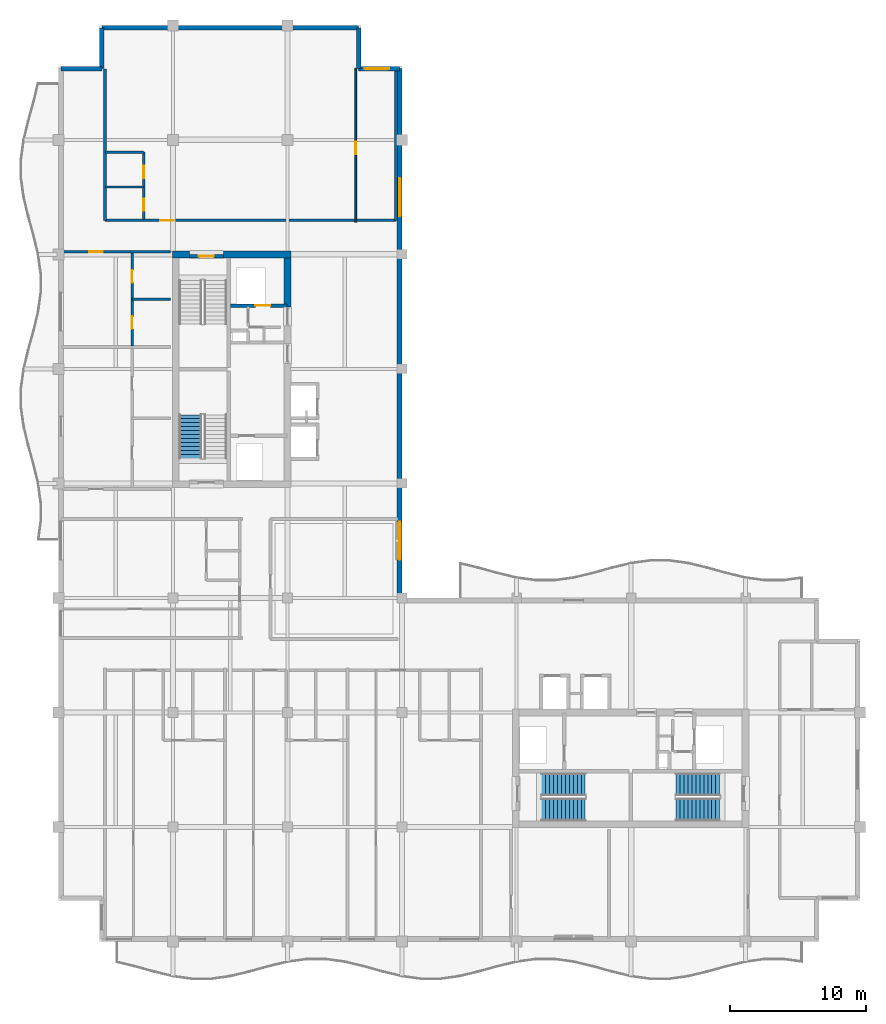
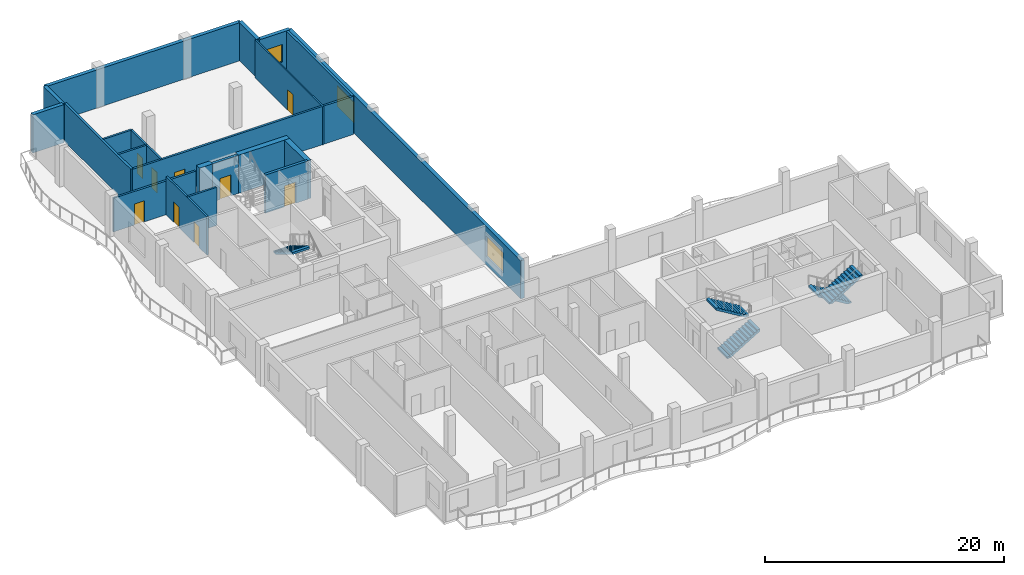
# One storey, part 7 of 11: 21 walls, 9 doors, 5 stair flights, 3 windows, 12 openings, 3 elements without a shape of their own.
"""IFC4 building model written with IfcOpenShell, lengths in metres."""

from ifc_helpers import new_model, si_unit, direction, frame, frame_2d, origin, place, context, subcontext, project, spatial, polyline, rectangle, outline, extrude, material, layer, layer_set, type_object, element, fill, aggregate, save


model = new_model("IFC4")

# Units and contexts
model_context = context("Model", 3, precision=1e-05, world=origin(), true_north=direction((0.0, 1.0)))
body_context = subcontext(model_context, "Body", "Model", "MODEL_VIEW")
ifc_project = project(units=[si_unit("LENGTHUNIT", "METRE"), si_unit("AREAUNIT", "SQUARE_METRE"), si_unit("VOLUMEUNIT", "CUBIC_METRE"), si_unit("PLANEANGLEUNIT", "RADIAN"), si_unit("MASSUNIT", "GRAM", prefix="KILO")], contexts=[model_context])

# Site, building, storey
site_placement = place(None, origin())
site = spatial("IfcSite", under=ifc_project, at=site_placement, CompositionType="ELEMENT")
building_placement = place(site_placement, origin())
building = spatial("IfcBuilding", under=site, at=building_placement, Name="Koriwani Terraces Tower", CompositionType="ELEMENT")
storey_placement = place(building_placement, frame((0.0, 0.0, 359.60009765625)))
storey = spatial("IfcBuildingStorey", under=building, at=storey_placement, Name="L89", CompositionType="ELEMENT", Elevation=359.60009765625)

# Walls
ifc_material_1 = material(Name="Concrete C50/60", Category="concrete")
ifc_layer_1 = layer(ifc_material_1, 0.5, Name="Concrete C50/60")
ifc_layer_set_1 = layer_set([ifc_layer_1], Name="Concrete C50/60")
wall_type_1 = type_object("IfcWallType", Name="WALL_CORE_RC_500", PredefinedType="SHEAR", material=ifc_layer_set_1)
wall_1_placement = place(storey_placement, frame((16.75, 58.800048828125, 0.0), z_axis=(0.0, 0.0, 1.0), x_axis=(1.0, 0.0, 0.0)))
element("IfcWall", 1, at=wall_1_placement, inside=storey, type_object=wall_type_1, Name="L89 West Split Core Shear Wall N1", PredefinedType="SHEAR", context=body_context, shape_type="SweptSolid", body=[
    extrude(rectangle(XDim=1.25, YDim=0.5, at=frame_2d((0.625, 0.0))), origin(), (0.0, 0.0, 1.0), 3.89990234375),
])
wall_2_placement = place(storey_placement, frame((20.5, 58.800048828125, 0.0), z_axis=(0.0, 0.0, 1.0), x_axis=(1.0, 0.0, 0.0)))
element("IfcWall", 2, at=wall_2_placement, inside=storey, type_object=wall_type_1, Name="L89 West Split Core Shear Wall N2", PredefinedType="SHEAR", context=body_context, shape_type="SweptSolid", body=[
    extrude(rectangle(XDim=4.949951171875, YDim=0.5, at=frame_2d((2.47509765625, 0.0))), origin(), (0.0, 0.0, 1.0), 3.89990234375),
])
wall_3_placement = place(storey_placement, frame((25.199951171875, 54.949951171875, 0.0), z_axis=(0.0, 0.0, 1.0), x_axis=(0.0, 1.0, 0.0)))
element("IfcWall", 3, at=wall_3_placement, inside=storey, type_object=wall_type_1, Name="L89 West Split Core Shear Wall E3", PredefinedType="SHEAR", context=body_context, shape_type="SweptSolid", body=[
    extrude(rectangle(XDim=3.60009765625, YDim=0.5, at=frame_2d((1.800048828125, 0.0))), origin(), (0.0, 0.0, 1.0), 3.89990234375),
])

# Wall, opening, door
ifc_material_2 = material(Name="Autoclaved Cellular Concrete Blockwork", Category="masonry")
ifc_layer_2 = layer(ifc_material_2, 0.199951171875, Name="Autoclaved Cellular Concrete Blockwork")
ifc_layer_set_2 = layer_set([ifc_layer_2], Name="Autoclaved Cellular Concrete Blockwork")
wall_type_2 = type_object("IfcWallType", Name="WALL_CORRIDOR_200", PredefinedType="PARTITIONING", material=ifc_layer_set_2)
wall_4_placement = place(storey_placement, frame((8.64990234375, 59.0, 0.0), z_axis=(0.0, 0.0, 1.0), x_axis=(1.0, 0.0, 0.0)))
wall_4 = element("IfcWall", 4, at=wall_4_placement, inside=storey, type_object=wall_type_2, Name="L89 Interior Wall WRZ4-WN-L89", PredefinedType="PARTITIONING", context=body_context, shape_type="SweptSolid", body=[
    extrude(rectangle(XDim=7.9501953125, YDim=0.199951171875, at=frame_2d((3.97509765625, 0.0))), origin(), (0.0, 0.0, 1.0), 3.43701171875),
])
opening_1_placement = place(wall_4_placement, frame((2.0, 0.0, 0.0)))
opening_1 = element("IfcOpeningElement", 5, at=opening_1_placement, cuts=wall_4, Name="Opening D-05", PredefinedType="OPENING", context=body_context, shape_type="SweptSolid", body=[
    extrude(rectangle(XDim=1.0, YDim=2.14990234375, at=frame_2d((0.5, 1.074951171875))), frame((0.0, 0.10986328125, 0.0), z_axis=(0.0, -1.0, 0.0), x_axis=(1.0, 0.0, 0.0)), (0.0, 0.0, 1.0), 0.219970703125),
])
ifc_material_3 = material(Name="Architectural Oak Fire Door", Category="wood")
door_type_1 = type_object("IfcDoorType", Name="DOOR_SUITE_ENTRY_1000X2150", OperationType="NOTDEFINED", PredefinedType="DOOR", material=ifc_material_3)
door_1_placement = place(opening_1_placement, origin())
door_1 = element("IfcDoor", 6, at=door_1_placement, inside=storey, type_object=door_type_1, Name="Apartment 89RW2 Entrance Door", OperationType="SINGLE_SWING_LEFT", OverallHeight=2.14990234375, OverallWidth=1.0, PredefinedType="DOOR", context=body_context, shape_type="SweptSolid", body=[
    extrude(rectangle(XDim=1.0, YDim=2.14990234375, at=frame_2d((0.5, 1.074951171875))), frame((0.0, 0.02490234375, 0.0), z_axis=(0.0, -1.0, 0.0), x_axis=(1.0, 0.0, 0.0)), (0.0, 0.0, 1.0), 0.050048828125),
])
fill(opening_1, door_1)

wall_5_placement = place(storey_placement, frame((11.800048828125, 61.300048828125, 0.0), z_axis=(0.0, 0.0, 1.0), x_axis=(1.0, 0.0, 0.0)))
wall_5 = element("IfcWall", 7, at=wall_5_placement, inside=storey, type_object=wall_type_2, Name="L89 Interior Wall WGB-L89-NT-S", PredefinedType="PARTITIONING", context=body_context, shape_type="SweptSolid", body=[
    extrude(rectangle(XDim=21.349853515625, YDim=0.199951171875, at=frame_2d((10.6748046875, 0.0))), origin(), (0.0, 0.0, 1.0), 3.89990234375),
])
opening_2_placement = place(wall_5_placement, frame((4.050048828125, 0.0, 0.0)))
opening_2 = element("IfcOpeningElement", 8, at=opening_2_placement, cuts=wall_5, Name="Opening D-05", PredefinedType="OPENING", context=body_context, shape_type="SweptSolid", body=[
    extrude(rectangle(XDim=1.0, YDim=2.14990234375, at=frame_2d((0.5, 1.074951171875))), frame((0.0, 0.10986328125, 0.0), z_axis=(0.0, -1.0, 0.0), x_axis=(1.0, 0.0, 0.0)), (0.0, 0.0, 1.0), 0.219970703125),
])
door_2_placement = place(opening_2_placement, origin())
door_2 = element("IfcDoor", 9, at=door_2_placement, inside=storey, type_object=door_type_1, Name="Penthouse 89NT Entrance Door", OperationType="SINGLE_SWING_RIGHT", OverallHeight=2.14990234375, OverallWidth=1.0, PredefinedType="DOOR", context=body_context, shape_type="SweptSolid", body=[
    extrude(rectangle(XDim=1.0, YDim=2.14990234375, at=frame_2d((0.5, 1.074951171875))), frame((0.0, 0.02490234375, 0.0), z_axis=(0.0, -1.0, 0.0), x_axis=(1.0, 0.0, 0.0)), (0.0, 0.0, 1.0), 0.050048828125),
])
fill(opening_2, door_2)

# Walls
ifc_layer_3 = layer(ifc_material_2, 0.219970703125, Name="Autoclaved Cellular Concrete Blockwork")
ifc_layer_set_3 = layer_set([ifc_layer_3], Name="Autoclaved Cellular Concrete Blockwork")
wall_type_3 = type_object("IfcWallType", Name="WALL_DEMISING_220", PredefinedType="PARTITIONING", material=ifc_layer_set_3)
for number, where, z_axis, x_axis, name in (
    (10, (33.14990234375, 61.300048828125, 0.0), (0.0, 0.0, 1.0), (0.0, 1.0, 0.0), "L89 Interior Wall WGB-L89-NT-E"),
    (11, (11.800048828125, 61.300048828125, 0.0), (0.0, 0.0, 1.0), (0.0, 1.0, 0.0), "L89 Interior Wall WGB-L89-NT-W"),
):
    element("IfcWall", number, at=place(storey_placement, frame(where, z_axis=z_axis, x_axis=x_axis)), inside=storey, type_object=wall_type_3, Name=name, PredefinedType="PARTITIONING", context=body_context, shape_type="SweptSolid", body=[
        extrude(rectangle(XDim=11.099853515625, YDim=0.219970703125, at=frame_2d((5.5498046875, 0.0))), origin(), (0.0, 0.0, 1.0), 3.89990234375),
    ])
ifc_layer_4 = layer(ifc_material_1, 0.35009765625, Name="Concrete C50/60")
ifc_layer_set_4 = layer_set([ifc_layer_4], Name="Concrete C50/60")
wall_type_4 = type_object("IfcWallType", Name="WALL_EXT_BRUTALIST_350", PredefinedType="STANDARD", material=ifc_layer_set_4)
for number, where, z_axis, x_axis, name in (
    (12, (8.574951171875, 72.425048828125, 0.0), (0.0, 0.0, 1.0), (1.0, 0.0, 0.0), "L89 Fair-Faced Brutalist Exterior Wall (N3)"),
    (13, (11.574951171875, 72.425048828125, 0.0), (0.0, 0.0, 1.0), (0.0, 1.0, 0.0), "L89 Fair-Faced Brutalist Exterior Wall (N4)"),
):
    element("IfcWall", number, at=place(storey_placement, frame(where, z_axis=z_axis, x_axis=x_axis)), inside=storey, type_object=wall_type_4, Name=name, PredefinedType="STANDARD", context=body_context, shape_type="SweptSolid", body=[
        extrude(rectangle(XDim=3.0, YDim=0.35009765625, at=frame_2d((1.5, 0.0))), origin(), (0.0, 0.0, 1.0), 3.89990234375),
    ])
wall_6_placement = place(storey_placement, frame((11.574951171875, 75.425048828125, 0.0), z_axis=(0.0, 0.0, 1.0), x_axis=(1.0, 0.0, 0.0)))
element("IfcWall", 14, at=wall_6_placement, inside=storey, type_object=wall_type_4, Name="L89 Fair-Faced Brutalist Exterior Wall (N_TIP)", PredefinedType="STANDARD", context=body_context, shape_type="SweptSolid", body=[
    extrude(rectangle(XDim=18.85009765625, YDim=0.35009765625, at=frame_2d((9.425048828125, 0.0))), origin(), (0.0, 0.0, 1.0), 3.89990234375),
])
wall_7_placement = place(storey_placement, frame((30.425048828125, 75.425048828125, 0.0), z_axis=(0.0, 0.0, 1.0), x_axis=(0.0, -1.0, 0.0)))
element("IfcWall", 15, at=wall_7_placement, inside=storey, type_object=wall_type_4, Name="L89 Fair-Faced Brutalist Exterior Wall (N6)", PredefinedType="STANDARD", context=body_context, shape_type="SweptSolid", body=[
    extrude(rectangle(XDim=3.0, YDim=0.35009765625, at=frame_2d((1.5, 0.0))), origin(), (0.0, 0.0, 1.0), 3.89990234375),
])

# Wall, opening, window
wall_8_placement = place(storey_placement, frame((30.425048828125, 72.425048828125, 0.0), z_axis=(0.0, 0.0, 1.0), x_axis=(1.0, 0.0, 0.0)))
wall_8 = element("IfcWall", 16, at=wall_8_placement, inside=storey, type_object=wall_type_4, Name="L89 Fair-Faced Brutalist Exterior Wall (N7)", PredefinedType="STANDARD", context=body_context, shape_type="SweptSolid", body=[
    extrude(rectangle(XDim=3.0, YDim=0.35009765625, at=frame_2d((1.5, 0.0))), origin(), (0.0, 0.0, 1.0), 3.89990234375),
])
opening_3_placement = place(wall_8_placement, frame((0.4375, 0.0, 0.85009765625)))
opening_3 = element("IfcOpeningElement", 17, at=opening_3_placement, cuts=wall_8, Name="Opening W-04", PredefinedType="OPENING", context=body_context, shape_type="SweptSolid", body=[
    extrude(rectangle(XDim=1.800048828125, YDim=1.800048828125, at=frame_2d((0.89990234375, 0.89990234375))), frame((0.0, 0.18505859375, 0.0), z_axis=(0.0, -1.0, 0.0), x_axis=(1.0, 0.0, 0.0)), (0.0, 0.0, 1.0), 0.3701171875),
])
ifc_material_4 = material(Name="Tempered Laminated Low-E Glass", Category="glass")
window_type_1 = type_object("IfcWindowType", Name="WIN_RES_BED_1800X1800", PartitioningType="DOUBLE_PANEL_VERTICAL", PredefinedType="WINDOW", material=ifc_material_4)
window_1_placement = place(opening_3_placement, origin())
window_1 = element("IfcWindow", 18, at=window_1_placement, inside=storey, type_object=window_type_1, Name="L89 Exterior Window (N7-R49)", OverallHeight=1.800048828125, OverallWidth=1.800048828125, PartitioningType="SINGLE_PANEL", PredefinedType="WINDOW", context=body_context, shape_type="SweptSolid", body=[
    extrude(rectangle(XDim=1.800048828125, YDim=1.800048828125, at=frame_2d((0.89990234375, 0.89990234375))), frame((0.0, 0.030029296875, 0.0), z_axis=(0.0, -1.0, 0.0), x_axis=(1.0, 0.0, 0.0)), (0.0, 0.0, 1.0), 0.06005859375),
])
fill(opening_3, window_1)

# Wall, openings, windows
wall_9_placement = place(storey_placement, frame((33.425048828125, 72.425048828125, 0.0), z_axis=(0.0, 0.0, 1.0), x_axis=(0.0, -1.0, 0.0)))
wall_9 = element("IfcWall", 19, at=wall_9_placement, inside=storey, type_object=wall_type_4, Name="L89 Fair-Faced Brutalist Exterior Wall (NW_IN)", PredefinedType="STANDARD", context=body_context, shape_type="SweptSolid", body=[
    extrude(rectangle(XDim=39.0, YDim=0.35009765625, at=frame_2d((19.5, 0.0))), origin(), (0.0, 0.0, 1.0), 3.89990234375),
])
opening_4_placement = place(wall_9_placement, frame((33.22509765625, 0.0, 0.85009765625)))
opening_4 = element("IfcOpeningElement", 20, at=opening_4_placement, cuts=wall_9, Name="Opening W-05", PredefinedType="OPENING", context=body_context, shape_type="SweptSolid", body=[
    extrude(rectangle(XDim=2.800048828125, YDim=2.10009765625, at=frame_2d((1.39990234375, 1.050048828125))), frame((0.0, 0.18505859375, 0.0), z_axis=(0.0, -1.0, 0.0), x_axis=(1.0, 0.0, 0.0)), (0.0, 0.0, 1.0), 0.3701171875),
])
opening_5_placement = place(wall_9_placement, frame((8.02490234375, 0.0, 0.85009765625)))
opening_5 = element("IfcOpeningElement", 21, at=opening_5_placement, cuts=wall_9, Name="Opening W-05", PredefinedType="OPENING", context=body_context, shape_type="SweptSolid", body=[
    extrude(rectangle(XDim=2.800048828125, YDim=2.10009765625, at=frame_2d((1.39990234375, 1.050048828125))), frame((0.0, 0.18505859375, 0.0), z_axis=(0.0, -1.0, 0.0), x_axis=(1.0, 0.0, 0.0)), (0.0, 0.0, 1.0), 0.3701171875),
])
window_type_2 = type_object("IfcWindowType", Name="WIN_PENTHOUSE_2800X2100", PartitioningType="TRIPLE_PANEL_VERTICAL", PredefinedType="WINDOW", material=ifc_material_4)
window_2_placement = place(opening_4_placement, origin())
window_2 = element("IfcWindow", 22, at=window_2_placement, inside=storey, type_object=window_type_2, Name="L89 Exterior Window (NW_IN-2)", OverallHeight=2.10009765625, OverallWidth=2.800048828125, PartitioningType="SINGLE_PANEL", PredefinedType="WINDOW", context=body_context, shape_type="SweptSolid", body=[
    extrude(rectangle(XDim=2.800048828125, YDim=2.10009765625, at=frame_2d((1.39990234375, 1.050048828125))), frame((0.0, 0.030029296875, 0.0), z_axis=(0.0, -1.0, 0.0), x_axis=(1.0, 0.0, 0.0)), (0.0, 0.0, 1.0), 0.06005859375),
])
fill(opening_4, window_2)
window_3_placement = place(opening_5_placement, origin())
window_3 = element("IfcWindow", 23, at=window_3_placement, inside=storey, type_object=window_type_2, Name="L89 Exterior Window (NW_IN-11)", OverallHeight=2.10009765625, OverallWidth=2.800048828125, PartitioningType="SINGLE_PANEL", PredefinedType="WINDOW", context=body_context, shape_type="SweptSolid", body=[
    extrude(rectangle(XDim=2.800048828125, YDim=2.10009765625, at=frame_2d((1.39990234375, 1.050048828125))), frame((0.0, 0.030029296875, 0.0), z_axis=(0.0, -1.0, 0.0), x_axis=(1.0, 0.0, 0.0)), (0.0, 0.0, 1.0), 0.06005859375),
])
fill(opening_5, window_3)

# Wall, opening, door
ifc_material_5 = material(Name="Fire-Rated Acoustic Gypsum Partition", Category="masonry")
ifc_layer_5 = layer(ifc_material_5, 0.125, Name="Fire-Rated Acoustic Gypsum Partition")
ifc_layer_set_5 = layer_set([ifc_layer_5], Name="Fire-Rated Acoustic Gypsum Partition")
wall_type_5 = type_object("IfcWallType", Name="WALL_INT_125", PredefinedType="PARTITIONING", material=ifc_layer_set_5)
wall_10_placement = place(storey_placement, frame((30.199951171875, 61.14990234375, 0.0), z_axis=(0.0, 0.0, 1.0), x_axis=(0.0, 1.0, 0.0)))
wall_10 = element("IfcWall", 24, at=wall_10_placement, inside=storey, type_object=wall_type_5, Name="L89 Interior Wall WGB-L89-NT-BD", PredefinedType="PARTITIONING", context=body_context, shape_type="SweptSolid", body=[
    extrude(rectangle(XDim=11.300048828125, YDim=0.125, at=frame_2d((5.64990234375, 0.0))), origin(), (0.0, 0.0, 1.0), 3.89990234375),
])
opening_6_placement = place(wall_10_placement, frame((4.9951171875, 0.0, 0.0)))
opening_6 = element("IfcOpeningElement", 25, at=opening_6_placement, cuts=wall_10, Name="Opening D-06", PredefinedType="OPENING", context=body_context, shape_type="SweptSolid", body=[
    extrude(rectangle(XDim=0.919921875, YDim=2.10009765625, at=frame_2d((0.4599609375, 1.050048828125))), frame((0.0, 0.072509765625, 0.0), z_axis=(0.0, -1.0, 0.0), x_axis=(1.0, 0.0, 0.0)), (0.0, 0.0, 1.0), 0.14501953125),
])
door_type_2 = type_object("IfcDoorType", Name="DOOR_ROOM_INT_920X2100", OperationType="NOTDEFINED", PredefinedType="DOOR", material=ifc_material_3)
door_3_placement = place(opening_6_placement, origin())
door_3 = element("IfcDoor", 26, at=door_3_placement, inside=storey, type_object=door_type_2, Name="Penthouse 89NT Master Suite Door", OperationType="SINGLE_SWING_LEFT", OverallHeight=2.10009765625, OverallWidth=0.919921875, PredefinedType="DOOR", context=body_context, shape_type="SweptSolid", body=[
    extrude(rectangle(XDim=0.919921875, YDim=2.10009765625, at=frame_2d((0.4599609375, 1.050048828125))), frame((0.0, 0.02490234375, 0.0), z_axis=(0.0, -1.0, 0.0), x_axis=(1.0, 0.0, 0.0)), (0.0, 0.0, 1.0), 0.050048828125),
])
fill(opening_6, door_3)

# Wall, openings, doors
ifc_layer_6 = layer(ifc_material_5, 0.179931640625, Name="Fire-Rated Acoustic Gypsum Partition")
ifc_layer_set_6 = layer_set([ifc_layer_6], Name="Fire-Rated Acoustic Gypsum Partition")
wall_type_6 = type_object("IfcWallType", Name="WALL_PLUMBING_180", PredefinedType="PLUMBINGWALL", material=ifc_layer_set_6)
wall_11_placement = place(storey_placement, frame((13.800048828125, 52.10009765625, 0.0), z_axis=(0.0, 0.0, 1.0), x_axis=(0.0, 1.0, 0.0)))
wall_11 = element("IfcWall", 27, at=wall_11_placement, inside=storey, type_object=wall_type_6, Name="L89 Interior Wall WRZ4-RW2-PB-L89", PredefinedType="PLUMBINGWALL", context=body_context, shape_type="SweptSolid", body=[
    extrude(rectangle(XDim=6.7998046875, YDim=0.179931640625, at=frame_2d((3.39990234375, 0.0))), origin(), (0.0, 0.0, 1.0), 3.89990234375),
])
opening_7_placement = place(wall_11_placement, frame((1.25, 0.0, 0.0)))
opening_7 = element("IfcOpeningElement", 28, at=opening_7_placement, cuts=wall_11, Name="Opening D-07", PredefinedType="OPENING", context=body_context, shape_type="SweptSolid", body=[
    extrude(rectangle(XDim=0.89990234375, YDim=2.10009765625, at=frame_2d((0.449951171875, 1.050048828125))), frame((0.0, 0.10009765625, 0.0), z_axis=(0.0, -1.0, 0.0), x_axis=(1.0, 0.0, 0.0)), (0.0, 0.0, 1.0), 0.199951171875),
])
opening_8_placement = place(wall_11_placement, frame((4.639892578125, 0.0, 0.0)))
opening_8 = element("IfcOpeningElement", 29, at=opening_8_placement, cuts=wall_11, Name="Opening D-06", PredefinedType="OPENING", context=body_context, shape_type="SweptSolid", body=[
    extrude(rectangle(XDim=0.919921875, YDim=2.10009765625, at=frame_2d((0.4599609375, 1.050048828125))), frame((0.0, 0.10009765625, 0.0), z_axis=(0.0, -1.0, 0.0), x_axis=(1.0, 0.0, 0.0)), (0.0, 0.0, 1.0), 0.199951171875),
])
door_type_3 = type_object("IfcDoorType", Name="DOOR_BATH_INT_900X2100", OperationType="NOTDEFINED", PredefinedType="DOOR", material=ifc_material_3)
door_4_placement = place(opening_7_placement, origin())
door_4 = element("IfcDoor", 30, at=door_4_placement, inside=storey, type_object=door_type_3, Name="Apartment 89RW2 Bathroom Door", OperationType="SINGLE_SWING_RIGHT", OverallHeight=2.10009765625, OverallWidth=0.89990234375, PredefinedType="DOOR", context=body_context, shape_type="SweptSolid", body=[
    extrude(rectangle(XDim=0.89990234375, YDim=2.10009765625, at=frame_2d((0.449951171875, 1.050048828125))), frame((0.0, 0.02490234375, 0.0), z_axis=(0.0, -1.0, 0.0), x_axis=(1.0, 0.0, 0.0)), (0.0, 0.0, 1.0), 0.050048828125),
])
fill(opening_7, door_4)
door_5_placement = place(opening_8_placement, origin())
door_5 = element("IfcDoor", 31, at=door_5_placement, inside=storey, type_object=door_type_2, Name="Apartment 89RW2 Kitchen Door", OperationType="SINGLE_SWING_LEFT", OverallHeight=2.10009765625, OverallWidth=0.919921875, PredefinedType="DOOR", context=body_context, shape_type="SweptSolid", body=[
    extrude(rectangle(XDim=0.919921875, YDim=2.10009765625, at=frame_2d((0.4599609375, 1.050048828125))), frame((0.0, 0.02490234375, 0.0), z_axis=(0.0, -1.0, 0.0), x_axis=(1.0, 0.0, 0.0)), (0.0, 0.0, 1.0), 0.050048828125),
])
fill(opening_8, door_5)

# Wall
wall_12_placement = place(storey_placement, frame((13.800048828125, 55.5, 0.0), z_axis=(0.0, 0.0, 1.0), x_axis=(1.0, 0.0, 0.0)))
element("IfcWall", 32, at=wall_12_placement, inside=storey, type_object=wall_type_6, Name="L89 Interior Wall WRZ4-RW2-P2-L89", PredefinedType="PLUMBINGWALL", context=body_context, shape_type="SweptSolid", body=[
    extrude(rectangle(XDim=2.800048828125, YDim=0.179931640625, at=frame_2d((1.39990234375, 0.0))), origin(), (0.0, 0.0, 1.0), 3.89990234375),
])

# Wall, openings, doors
wall_13_placement = place(storey_placement, frame((14.64990234375, 61.35009765625, 0.0), z_axis=(0.0, 0.0, 1.0), x_axis=(0.0, 1.0, 0.0)))
wall_13 = element("IfcWall", 33, at=wall_13_placement, inside=storey, type_object=wall_type_6, Name="L89 Interior Wall WGB-L89-NT-SVB", PredefinedType="PLUMBINGWALL", context=body_context, shape_type="SweptSolid", body=[
    extrude(rectangle(XDim=4.949951171875, YDim=0.179931640625, at=frame_2d((2.47509765625, 0.0))), origin(), (0.0, 0.0, 1.0), 3.89990234375),
])
opening_9_placement = place(wall_13_placement, frame((0.64990234375, 0.0, 0.0)))
opening_9 = element("IfcOpeningElement", 34, at=opening_9_placement, cuts=wall_13, Name="Opening D-07", PredefinedType="OPENING", context=body_context, shape_type="SweptSolid", body=[
    extrude(rectangle(XDim=0.89990234375, YDim=2.10009765625, at=frame_2d((0.449951171875, 1.050048828125))), frame((0.0, 0.10009765625, 0.0), z_axis=(0.0, -1.0, 0.0), x_axis=(1.0, 0.0, 0.0)), (0.0, 0.0, 1.0), 0.199951171875),
])
opening_10_placement = place(wall_13_placement, frame((3.050048828125, 0.0, 0.0)))
opening_10 = element("IfcOpeningElement", 35, at=opening_10_placement, cuts=wall_13, Name="Opening D-06", PredefinedType="OPENING", context=body_context, shape_type="SweptSolid", body=[
    extrude(rectangle(XDim=0.919921875, YDim=2.10009765625, at=frame_2d((0.4599609375, 1.050048828125))), frame((0.0, 0.10009765625, 0.0), z_axis=(0.0, -1.0, 0.0), x_axis=(1.0, 0.0, 0.0)), (0.0, 0.0, 1.0), 0.199951171875),
])
door_6_placement = place(opening_9_placement, origin())
door_6 = element("IfcDoor", 36, at=door_6_placement, inside=storey, type_object=door_type_3, Name="Penthouse 89NT Bathroom Door", OperationType="SINGLE_SWING_LEFT", OverallHeight=2.10009765625, OverallWidth=0.89990234375, PredefinedType="DOOR", context=body_context, shape_type="SweptSolid", body=[
    extrude(rectangle(XDim=0.89990234375, YDim=2.10009765625, at=frame_2d((0.449951171875, 1.050048828125))), frame((0.0, 0.02490234375, 0.0), z_axis=(0.0, -1.0, 0.0), x_axis=(1.0, 0.0, 0.0)), (0.0, 0.0, 1.0), 0.050048828125),
])
fill(opening_9, door_6)
door_7_placement = place(opening_10_placement, origin())
door_7 = element("IfcDoor", 37, at=door_7_placement, inside=storey, type_object=door_type_2, Name="Penthouse 89NT Kitchen Door", OperationType="SINGLE_SWING_RIGHT", OverallHeight=2.10009765625, OverallWidth=0.919921875, PredefinedType="DOOR", context=body_context, shape_type="SweptSolid", body=[
    extrude(rectangle(XDim=0.919921875, YDim=2.10009765625, at=frame_2d((0.4599609375, 1.050048828125))), frame((0.0, 0.02490234375, 0.0), z_axis=(0.0, -1.0, 0.0), x_axis=(1.0, 0.0, 0.0)), (0.0, 0.0, 1.0), 0.050048828125),
])
fill(opening_10, door_7)

# Walls
for number, where, z_axis, x_axis, name in (
    (38, (11.85009765625, 63.75, 0.0), (0.0, 0.0, 1.0), (1.0, 0.0, 0.0), "L89 Interior Wall WGB-L89-NT-SVM"),
    (39, (11.85009765625, 66.300048828125, 0.0), (0.0, 0.0, 1.0), (1.0, 0.0, 0.0), "L89 Interior Wall WGB-L89-NT-SV2"),
):
    element("IfcWall", number, at=place(storey_placement, frame(where, z_axis=z_axis, x_axis=x_axis)), inside=storey, type_object=wall_type_6, Name=name, PredefinedType="PLUMBINGWALL", context=body_context, shape_type="SweptSolid", body=[
        extrude(rectangle(XDim=2.7998046875, YDim=0.179931640625, at=frame_2d((1.39990234375, 0.0))), origin(), (0.0, 0.0, 1.0), 3.89990234375),
    ])

# Wall, opening, door
ifc_material_6 = material(Name="Concrete C40/50", Category="concrete")
ifc_layer_7 = layer(ifc_material_6, 0.25, Name="Concrete C40/50")
ifc_layer_set_7 = layer_set([ifc_layer_7], Name="Concrete C40/50")
wall_type_7 = type_object("IfcWallType", Name="WALL_SHAFT_RATED_250", PredefinedType="SOLIDWALL", material=ifc_layer_set_7)
wall_14_placement = place(storey_placement, frame((18.0, 58.675048828125, 0.0), z_axis=(0.0, 0.0, 1.0), x_axis=(1.0, 0.0, 0.0)))
wall_14 = element("IfcWall", 40, at=wall_14_placement, inside=storey, type_object=wall_type_7, Name="L89 Interior Wall WIN-CW-L89-STN", PredefinedType="SOLIDWALL", context=body_context, shape_type="SweptSolid", body=[
    extrude(rectangle(XDim=2.5, YDim=0.25, at=frame_2d((1.25, 0.0))), origin(), (0.0, 0.0, 1.0), 3.89990234375),
])
opening_11_placement = place(wall_14_placement, frame((0.699951171875, 0.0, 0.0)))
opening_11 = element("IfcOpeningElement", 41, at=opening_11_placement, cuts=wall_14, Name="Opening D-03", PredefinedType="OPENING", context=body_context, shape_type="SweptSolid", body=[
    extrude(rectangle(XDim=1.10009765625, YDim=2.14990234375, at=frame_2d((0.550048828125, 1.074951171875))), frame((0.0, 0.135009765625, 0.0), z_axis=(0.0, -1.0, 0.0), x_axis=(1.0, 0.0, 0.0)), (0.0, 0.0, 1.0), 0.27001953125),
])
ifc_material_7 = material(Name="Steel ASTM A572 Grade 50", Category="steel")
door_type_4 = type_object("IfcDoorType", Name="DOOR_STAIR_FIRE_1100X2150", OperationType="NOTDEFINED", PredefinedType="DOOR", material=ifc_material_7)
door_8_placement = place(opening_11_placement, origin())
door_8 = element("IfcDoor", 42, at=door_8_placement, inside=storey, type_object=door_type_4, Name="L89 Exit Stair ST-W2 Door", OperationType="SINGLE_SWING_RIGHT", OverallHeight=2.14990234375, OverallWidth=1.10009765625, PredefinedType="DOOR", context=body_context, shape_type="SweptSolid", body=[
    extrude(rectangle(XDim=1.10009765625, YDim=2.14990234375, at=frame_2d((0.550048828125, 1.074951171875))), frame((0.0, 0.02490234375, 0.0), z_axis=(0.0, -1.0, 0.0), x_axis=(1.0, 0.0, 0.0)), (0.0, 0.0, 1.0), 0.050048828125),
])
fill(opening_11, door_8)

wall_15_placement = place(storey_placement, frame((21.0, 55.050048828125, 0.0), z_axis=(0.0, 0.0, 1.0), x_axis=(1.0, 0.0, 0.0)))
wall_15 = element("IfcWall", 43, at=wall_15_placement, inside=storey, type_object=wall_type_7, Name="L89 Interior Wall WIN-CW-L89-SE", PredefinedType="SOLIDWALL", context=body_context, shape_type="SweptSolid", body=[
    extrude(rectangle(XDim=4.14990234375, YDim=0.25, at=frame_2d((2.074951171875, 0.0))), origin(), (0.0, 0.0, 1.0), 3.89990234375),
])
opening_12_placement = place(wall_15_placement, frame((1.85009765625, 0.0, 0.0)))
opening_12 = element("IfcOpeningElement", 44, at=opening_12_placement, cuts=wall_15, Name="Opening LD-01", PredefinedType="OPENING", context=body_context, shape_type="SweptSolid", body=[
    extrude(rectangle(XDim=1.10009765625, YDim=2.14990234375, at=frame_2d((0.550048828125, 1.074951171875))), frame((0.0, 0.135009765625, 0.0), z_axis=(0.0, -1.0, 0.0), x_axis=(1.0, 0.0, 0.0)), (0.0, 0.0, 1.0), 0.27001953125),
])
door_type_5 = type_object("IfcDoorType", Name="DOOR_LIFT_LANDING_1100X2200", OperationType="NOTDEFINED", PredefinedType="DOOR", material=ifc_material_7)
door_9_placement = place(opening_12_placement, origin())
door_9 = element("IfcDoor", 45, at=door_9_placement, inside=storey, type_object=door_type_5, Name="L89 Goods Lift SE-01 Landing Door", OperationType="SLIDING_TO_LEFT", OverallHeight=2.14990234375, OverallWidth=1.10009765625, PredefinedType="DOOR", context=body_context, shape_type="SweptSolid", body=[
    extrude(rectangle(XDim=1.10009765625, YDim=2.14990234375, at=frame_2d((0.550048828125, 1.074951171875))), frame((0.0, 0.02490234375, 0.0), z_axis=(0.0, -1.0, 0.0), x_axis=(1.0, 0.0, 0.0)), (0.0, 0.0, 1.0), 0.050048828125),
])
fill(opening_12, door_9)

# Stair, stair flight
stair_type = type_object("IfcStairType", Name="STAIR_CORE_DOGLEG_1650", PredefinedType="TWO_STRAIGHT_RUN_STAIR", material=ifc_material_6)
stair_1_placement = place(storey_placement, origin())
stair_1 = element("IfcStair", 46, at=stair_1_placement, inside=storey, type_object=stair_type, Name="L89 West Core Exit Stair 1", PredefinedType="HALF_TURN_STAIR")
stair_flight_type = type_object("IfcStairFlightType", Name="STAIR_FLIGHT_RC_1650", PredefinedType="STRAIGHT", material=ifc_material_6)
stair_flight_1_placement = place(storey_placement, frame((18.074951171875, 47.0400390625, 2.099853515625), z_axis=(0.0, 0.0, 1.0), x_axis=(0.0, -1.0, 0.0)))
stair_flight_1 = element("IfcStairFlight", 47, at=stair_flight_1_placement, type_object=stair_flight_type, Name="ST-W1 flight 2", NumberOfRisers=12, NumberOfTreads=11, PredefinedType="STRAIGHT", RiserHeight=0.175, TreadLength=0.29, context=body_context, shape_type="SweptSolid", body=[
    extrude(outline(polyline([(0.0, 0.0), (0.0, 0.175048828125), (0.2900390625, 0.175048828125), (0.2900390625, 0.35009765625), (0.580078125, 0.35009765625), (0.580078125, 0.52490234375), (0.8701171875, 0.52490234375), (0.8701171875, 0.699951171875), (1.159912109375, 0.699951171875), (1.159912109375, 0.875), (1.449951171875, 0.875), (1.449951171875, 1.050048828125), (1.739990234375, 1.050048828125), (1.739990234375, 1.22509765625), (2.030029296875, 1.22509765625), (2.030029296875, 1.39990234375), (2.320068359375, 1.39990234375), (2.320068359375, 1.574951171875), (2.610107421875, 1.574951171875), (2.610107421875, 1.75), (2.89990234375, 1.75), (2.89990234375, 1.925048828125), (3.18994140625, 1.925048828125), (3.18994140625, 2.10009765625), (3.18994140625, 1.71484375), (0.34814453125, 0.0), (0.0, 0.0)])), frame((0.0, 0.824951171875, 0.0), z_axis=(0.0, -1.0, 0.0), x_axis=(1.0, 0.0, 0.0)), (0.0, 0.0, 1.0), 1.64990234375),
])
aggregate(stair_1, [stair_flight_1])

# Stair, stair flights
stair_2_placement = place(storey_placement, origin())
stair_2 = element("IfcStair", 48, at=stair_2_placement, inside=storey, type_object=stair_type, Name="L89 East Core Exit Stair 1", PredefinedType="HALF_TURN_STAIR")
stair_flight_2_placement = place(storey_placement, frame((43.85009765625, 18.074951171875, 0.0), z_axis=(0.0, 0.0, 1.0), x_axis=(1.0, 0.0, 0.0)))
stair_flight_2 = element("IfcStairFlight", 49, at=stair_flight_2_placement, type_object=stair_flight_type, Name="ST-E1 flight 1", NumberOfRisers=12, NumberOfTreads=11, PredefinedType="STRAIGHT", RiserHeight=0.175, TreadLength=0.29, context=body_context, shape_type="SweptSolid", body=[
    extrude(outline(polyline([(0.0, 0.0), (0.0, 0.175048828125), (0.2900390625, 0.175048828125), (0.2900390625, 0.35009765625), (0.580078125, 0.35009765625), (0.580078125, 0.52490234375), (0.8701171875, 0.52490234375), (0.8701171875, 0.699951171875), (1.159912109375, 0.699951171875), (1.159912109375, 0.875), (1.449951171875, 0.875), (1.449951171875, 1.050048828125), (1.739990234375, 1.050048828125), (1.739990234375, 1.22509765625), (2.030029296875, 1.22509765625), (2.030029296875, 1.39990234375), (2.320068359375, 1.39990234375), (2.320068359375, 1.574951171875), (2.610107421875, 1.574951171875), (2.610107421875, 1.75), (2.89990234375, 1.75), (2.89990234375, 1.925048828125), (3.18994140625, 1.925048828125), (3.18994140625, 2.10009765625), (3.18994140625, 1.71484375), (0.34814453125, 0.0), (0.0, 0.0)])), frame((0.0, 0.824951171875, 0.0), z_axis=(0.0, -1.0, 0.0), x_axis=(1.0, 0.0, 0.0)), (0.0, 0.0, 1.0), 1.64990234375),
])
stair_flight_3_placement = place(storey_placement, frame((47.0400390625, 19.925048828125, 2.099853515625), z_axis=(0.0, 0.0, 1.0), x_axis=(-1.0, 0.0, 0.0)))
stair_flight_3 = element("IfcStairFlight", 50, at=stair_flight_3_placement, type_object=stair_flight_type, Name="ST-E1 flight 2", NumberOfRisers=12, NumberOfTreads=11, PredefinedType="STRAIGHT", RiserHeight=0.175, TreadLength=0.29, context=body_context, shape_type="SweptSolid", body=[
    extrude(outline(polyline([(0.0, 0.0), (0.0, 0.175048828125), (0.2900390625, 0.175048828125), (0.2900390625, 0.35009765625), (0.580078125, 0.35009765625), (0.580078125, 0.52490234375), (0.8701171875, 0.52490234375), (0.8701171875, 0.699951171875), (1.159912109375, 0.699951171875), (1.159912109375, 0.875), (1.449951171875, 0.875), (1.449951171875, 1.050048828125), (1.739990234375, 1.050048828125), (1.739990234375, 1.22509765625), (2.030029296875, 1.22509765625), (2.030029296875, 1.39990234375), (2.320068359375, 1.39990234375), (2.320068359375, 1.574951171875), (2.610107421875, 1.574951171875), (2.610107421875, 1.75), (2.89990234375, 1.75), (2.89990234375, 1.925048828125), (3.18994140625, 1.925048828125), (3.18994140625, 2.10009765625), (3.18994140625, 1.71484375), (0.34814453125, 0.0), (0.0, 0.0)])), frame((0.0, 0.824951171875, 0.0), z_axis=(0.0, -1.0, 0.0), x_axis=(1.0, 0.0, 0.0)), (0.0, 0.0, 1.0), 1.64990234375),
])
aggregate(stair_2, [stair_flight_2, stair_flight_3])

stair_3_placement = place(storey_placement, origin())
stair_3 = element("IfcStair", 51, at=stair_3_placement, inside=storey, type_object=stair_type, Name="L89 East Core Exit Stair 2", PredefinedType="HALF_TURN_STAIR")
stair_flight_4_placement = place(storey_placement, frame((56.89990234375, 19.925048828125, 0.0), z_axis=(0.0, 0.0, 1.0), x_axis=(-1.0, 0.0, 0.0)))
stair_flight_4 = element("IfcStairFlight", 52, at=stair_flight_4_placement, type_object=stair_flight_type, Name="ST-E2 flight 1", NumberOfRisers=12, NumberOfTreads=11, PredefinedType="STRAIGHT", RiserHeight=0.175, TreadLength=0.29, context=body_context, shape_type="SweptSolid", body=[
    extrude(outline(polyline([(0.0, 0.0), (0.0, 0.175048828125), (0.2900390625, 0.175048828125), (0.2900390625, 0.35009765625), (0.580078125, 0.35009765625), (0.580078125, 0.52490234375), (0.8701171875, 0.52490234375), (0.8701171875, 0.699951171875), (1.159912109375, 0.699951171875), (1.159912109375, 0.875), (1.449951171875, 0.875), (1.449951171875, 1.050048828125), (1.739990234375, 1.050048828125), (1.739990234375, 1.22509765625), (2.030029296875, 1.22509765625), (2.030029296875, 1.39990234375), (2.320068359375, 1.39990234375), (2.320068359375, 1.574951171875), (2.610107421875, 1.574951171875), (2.610107421875, 1.75), (2.89990234375, 1.75), (2.89990234375, 1.925048828125), (3.18994140625, 1.925048828125), (3.18994140625, 2.10009765625), (3.18994140625, 1.71484375), (0.34814453125, 0.0), (0.0, 0.0)])), frame((0.0, 0.824951171875, 0.0), z_axis=(0.0, -1.0, 0.0), x_axis=(1.0, 0.0, 0.0)), (0.0, 0.0, 1.0), 1.64990234375),
])
stair_flight_5_placement = place(storey_placement, frame((53.7099609375, 18.074951171875, 2.099853515625), z_axis=(0.0, 0.0, 1.0), x_axis=(1.0, 0.0, 0.0)))
stair_flight_5 = element("IfcStairFlight", 53, at=stair_flight_5_placement, type_object=stair_flight_type, Name="ST-E2 flight 2", NumberOfRisers=12, NumberOfTreads=11, PredefinedType="STRAIGHT", RiserHeight=0.175, TreadLength=0.29, context=body_context, shape_type="SweptSolid", body=[
    extrude(outline(polyline([(0.0, 0.0), (0.0, 0.175048828125), (0.2900390625, 0.175048828125), (0.2900390625, 0.35009765625), (0.580078125, 0.35009765625), (0.580078125, 0.52490234375), (0.8701171875, 0.52490234375), (0.8701171875, 0.699951171875), (1.159912109375, 0.699951171875), (1.159912109375, 0.875), (1.449951171875, 0.875), (1.449951171875, 1.050048828125), (1.739990234375, 1.050048828125), (1.739990234375, 1.22509765625), (2.030029296875, 1.22509765625), (2.030029296875, 1.39990234375), (2.320068359375, 1.39990234375), (2.320068359375, 1.574951171875), (2.610107421875, 1.574951171875), (2.610107421875, 1.75), (2.89990234375, 1.75), (2.89990234375, 1.925048828125), (3.18994140625, 1.925048828125), (3.18994140625, 2.10009765625), (3.18994140625, 1.71484375), (0.34814453125, 0.0), (0.0, 0.0)])), frame((0.0, 0.824951171875, 0.0), z_axis=(0.0, -1.0, 0.0), x_axis=(1.0, 0.0, 0.0)), (0.0, 0.0, 1.0), 1.64990234375),
])
aggregate(stair_3, [stair_flight_4, stair_flight_5])

save(model, "model.ifc")
